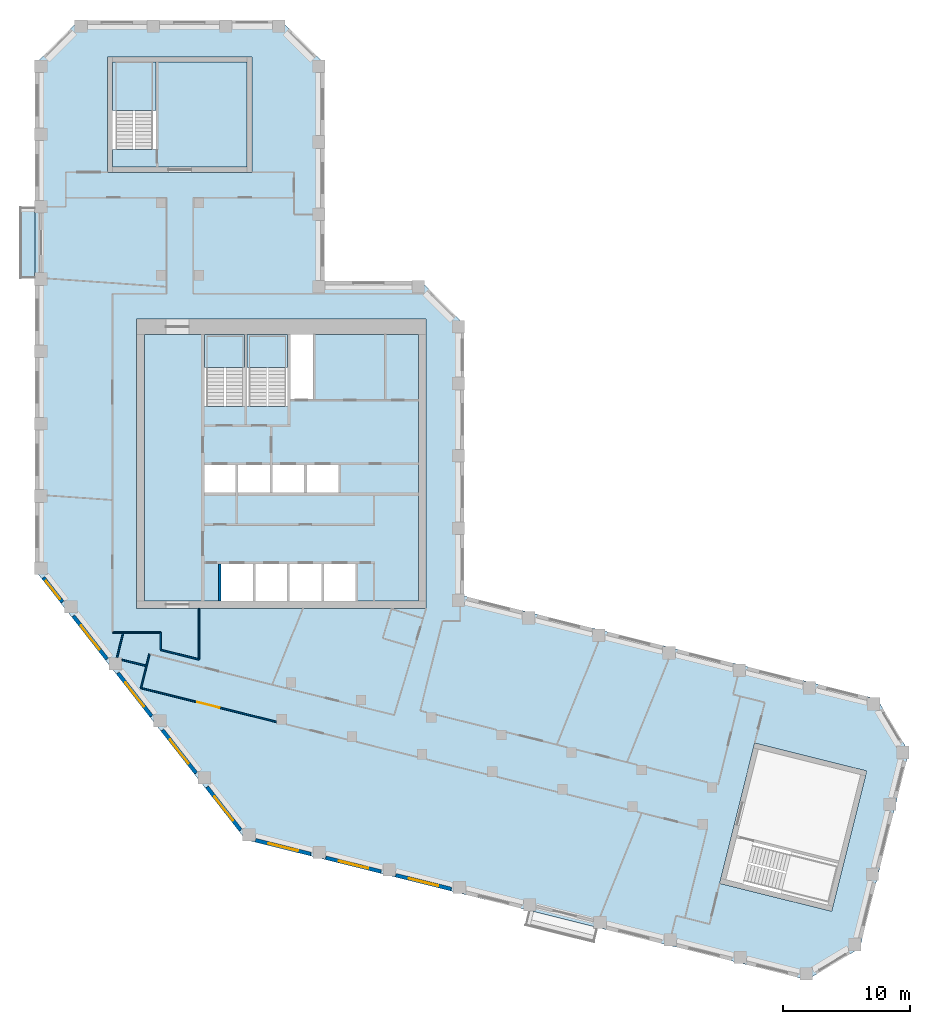
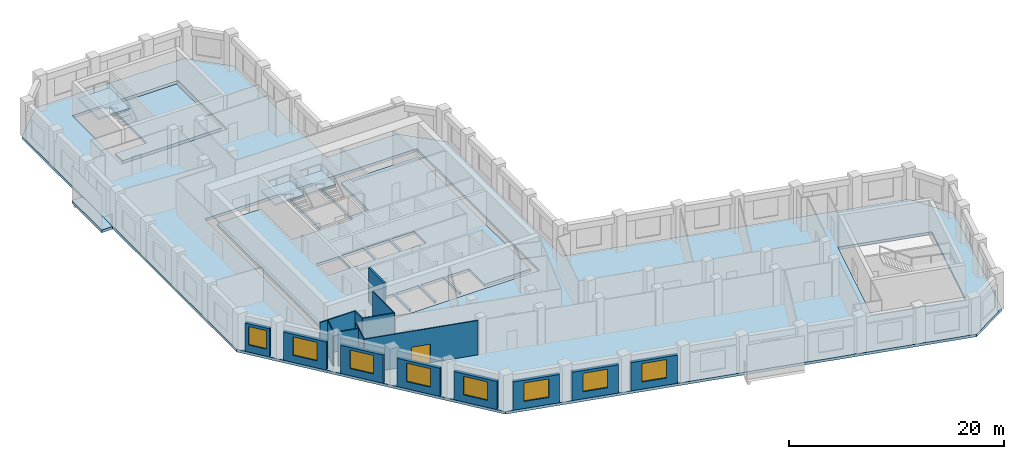
# One storey, part 2 of 9: 17 walls, 8 windows, 7 slabs, 1 door, 9 openings, 3 elements without a shape of their own.
"""IFC4 building model written with IfcOpenShell, lengths in metres."""

import ifcopenshell
import ifcopenshell.guid

model = None  # the IFC model being written
_history = None  # IfcOwnerHistory: only IFC2X3 demands one
_inside = {}  # id of a spatial element -> (the spatial element, [elements in it])
_under = {}  # id of a project, library or spatial element -> (it, [spatial elements below it])
_declared = {}  # id of a project -> (the project, [libraries it declares])
_typed = {}  # id of a type object -> (the type object, [elements of that type])
_made_of = {}  # id of a material, layer set ... -> (it, [elements and type objects made of it])


def new_model(schema):
    """Start an empty IFC model of exactly this schema.

    Asked for "IFC4X3", IfcOpenShell would pick the latest addendum, in which some entities
    have other attributes; the version numbers below select the first issue.
    IFC2X3 requires an IfcOwnerHistory on every rooted entity: one is made here for all.
    """
    global model, _history
    if schema == "IFC4X3":
        model = ifcopenshell.file(schema_version=(4, 3, 0, 0))
    else:
        model = ifcopenshell.file(schema=schema)
    _inside.clear()
    _under.clear()
    _declared.clear()
    _typed.clear()
    _made_of.clear()
    _history = None
    if model.schema == "IFC2X3":
        org = make("IfcOrganization", Name="unknown")
        user = make(
            "IfcPersonAndOrganization",
            ThePerson=make("IfcPerson", FamilyName="unknown"),
            TheOrganization=org,
        )
        app = make(
            "IfcApplication",
            ApplicationDeveloper=org,
            Version="unknown",
            ApplicationFullName="unknown",
            ApplicationIdentifier="unknown",
        )
        _history = make(
            "IfcOwnerHistory",
            OwningUser=user,
            OwningApplication=app,
            ChangeAction="ADDED",
            CreationDate=0,
        )
    return model


def make(cls, **values):
    """One entity of the class cls with the attributes given. An attribute that is None is left unset."""
    return model.create_entity(
        cls, **{name: value for name, value in values.items() if value is not None}
    )


def rooted(cls, **values):
    """An entity with a GlobalId (a new one), such as an element, a storey or a relation."""
    return make(cls, GlobalId=ifcopenshell.guid.new(), OwnerHistory=_history, **values)


def si_unit(unit_type, name, prefix=None):
    """IfcSIUnit, for example si_unit("LENGTHUNIT", "METRE", prefix="MILLI")."""
    return make("IfcSIUnit", UnitType=unit_type, Prefix=prefix, Name=name)


def assignment(units):
    """IfcUnitAssignment: the units of a project."""
    return None if units is None else make("IfcUnitAssignment", Units=units)


def point(xyz):
    """IfcCartesianPoint."""
    return None if xyz is None else make("IfcCartesianPoint", Coordinates=xyz)


def direction(xyz):
    """IfcDirection."""
    return None if xyz is None else make("IfcDirection", DirectionRatios=xyz)


def frame(location, z_axis=None, x_axis=None):
    """IfcAxis2Placement3D, a coordinate frame: its origin and axes. An axis left out is left unset."""
    return make(
        "IfcAxis2Placement3D",
        Location=point(location),
        Axis=direction(z_axis),
        RefDirection=direction(x_axis),
    )


def frame_2d(location, x_axis=None):
    """IfcAxis2Placement2D, a coordinate frame in the plane: its origin and x axis."""
    return make(
        "IfcAxis2Placement2D", Location=point(location), RefDirection=direction(x_axis)
    )


def origin():
    """The frame at (0, 0, 0) with its axes left unset."""
    return frame((0.0, 0.0, 0.0))


def place(relative_to, where):
    """IfcLocalPlacement: puts the frame where relative to a parent placement (None: the world)."""
    return make(
        "IfcLocalPlacement", PlacementRelTo=relative_to, RelativePlacement=where
    )


def context(
    kind, dimensions, precision=None, world=None, true_north=None, identifier=None
):
    """IfcGeometricRepresentationContext, for example the 3D "Model" context."""
    return make(
        "IfcGeometricRepresentationContext",
        ContextIdentifier=identifier,
        ContextType=kind,
        CoordinateSpaceDimension=dimensions,
        Precision=precision,
        WorldCoordinateSystem=world,
        TrueNorth=true_north,
    )


def subcontext(parent, identifier, kind, view, scale=None):
    """IfcGeometricRepresentationSubContext, for example "Body" below "Model"."""
    return make(
        "IfcGeometricRepresentationSubContext",
        ContextIdentifier=identifier,
        ContextType=kind,
        ParentContext=parent,
        TargetScale=scale,
        TargetView=view,
    )


def project(units=None, contexts=None):
    """IfcProject with its units and contexts."""
    return rooted(
        "IfcProject",
        Name="project",
        RepresentationContexts=contexts,
        UnitsInContext=assignment(units),
    )


def spatial(cls, under=None, at=None, **own):
    """A site, building, storey or space (cls), placed at a placement, below another one or the project."""
    s = rooted(cls, ObjectPlacement=at, **own)
    if under is not None:
        _under.setdefault(under.id(), (under, []))[1].append(s)
    return s


def polyline(points):
    """IfcPolyline through the points."""
    return make("IfcPolyline", Points=[point(p) for p in points])


def profile(cls, at=None, kind="AREA", **sizes):
    """A parametric profile (cls). Its sizes go by their IFC names, for example OverallWidth=200.0."""
    return make(cls, ProfileType=kind, Position=at, **sizes)


def rectangle(**sizes):
    """IfcRectangleProfileDef."""
    return profile("IfcRectangleProfileDef", **sizes)


def outline(outer, holes=None, kind="AREA"):
    """IfcArbitraryClosedProfileDef: a profile drawn as a closed curve; with holes, ...WithVoids."""
    if holes is None:
        return make("IfcArbitraryClosedProfileDef", ProfileType=kind, OuterCurve=outer)
    return make(
        "IfcArbitraryProfileDefWithVoids",
        ProfileType=kind,
        OuterCurve=outer,
        InnerCurves=holes,
    )


def extrude(swept, where, along, depth):
    """IfcExtrudedAreaSolid: the profile swept, set in the frame where, extruded along a direction by depth."""
    return make(
        "IfcExtrudedAreaSolid",
        SweptArea=swept,
        Position=where,
        ExtrudedDirection=direction(along),
        Depth=depth,
    )


def shape(context_of_items, identifier, shape_type, items):
    """IfcShapeRepresentation: the items that make up one representation, for example the "Body"."""
    return make(
        "IfcShapeRepresentation",
        ContextOfItems=context_of_items,
        RepresentationIdentifier=identifier,
        RepresentationType=shape_type,
        Items=items,
    )


def material(Name=None, Category=None):
    """IfcMaterial."""
    return make("IfcMaterial", Name=Name, Category=Category)


def layer(
    of_material, thickness, ventilated=None, Name=None, Category=None, Priority=None
):
    """IfcMaterialLayer: one layer of a wall or slab, of a material (None: an air gap)."""
    return make(
        "IfcMaterialLayer",
        Material=of_material,
        LayerThickness=thickness,
        IsVentilated=ventilated,
        Name=Name,
        Category=Category,
        Priority=Priority,
    )


def layer_set(layers, Name=None):
    """IfcMaterialLayerSet."""
    return make("IfcMaterialLayerSet", MaterialLayers=layers, LayerSetName=Name)


def made_of(thing, what):
    """Note that an element or type object is made of a material, layer set ...; save() writes the relation."""
    if what is not None:
        _made_of.setdefault(what.id(), (what, []))[1].append(thing)
    return thing


def type_object(cls, material=None, **own):
    """A type object (cls), such as IfcWallType, which elements share."""
    return made_of(rooted(cls, **own), material)


def element(
    cls,
    number,
    at=None,
    inside=None,
    cuts=None,
    type_object=None,
    material=None,
    context=None,
    identifier="Body",
    shape_type=None,
    held_by="IfcProductDefinitionShape",
    body=None,
    shapes=None,
    **own,
):
    """One element of the class cls, such as IfcWall. Its Tag is "e" and its number.

    at: its placement. inside: the storey or other place that contains it. cuts: it is an
    opening in that element (IfcRelVoidsElement). A single representation is given by context,
    identifier, shape_type and body (its items); several are given by shapes. held_by: the class
    of the entity that holds the representations. save() writes the other relations.
    """
    e = rooted(cls, Tag="e%d" % number, ObjectPlacement=at, **own)
    if body is not None:
        shapes = [shape(context, identifier, shape_type, body)]
    if shapes is not None:
        e.Representation = make(held_by, Representations=shapes)
    if inside is not None:
        _inside.setdefault(inside.id(), (inside, []))[1].append(e)
    if cuts is not None:
        rooted(
            "IfcRelVoidsElement", RelatingBuildingElement=cuts, RelatedOpeningElement=e
        )
    if type_object is not None:
        _typed.setdefault(type_object.id(), (type_object, []))[1].append(e)
    return made_of(e, material)


def fill(opening, filler):
    """IfcRelFillsElement: the door or window that sits in an opening."""
    return rooted(
        "IfcRelFillsElement",
        RelatingOpeningElement=opening,
        RelatedBuildingElement=filler,
    )


def aggregate(whole, parts):
    """IfcRelAggregates: a whole, such as a stair, and the parts it consists of."""
    return rooted("IfcRelAggregates", RelatingObject=whole, RelatedObjects=parts)


def save(model, path):
    """Write the relations noted so far, then the file.

    IfcRelAggregates (storeys below a building ...), IfcRelContainedInSpatialStructure (elements
    in a storey), IfcRelDefinesByType, IfcRelAssociatesMaterial and IfcRelDeclares: one each for
    every whole, place, type object, material and project.
    """
    for whole, parts in _under.values():
        aggregate(whole, parts)
    for where, things in _inside.values():
        rooted(
            "IfcRelContainedInSpatialStructure",
            RelatedElements=things,
            RelatingStructure=where,
        )
    for kind, things in _typed.values():
        rooted("IfcRelDefinesByType", RelatedObjects=things, RelatingType=kind)
    for what, things in _made_of.values():
        rooted("IfcRelAssociatesMaterial", RelatedObjects=things, RelatingMaterial=what)
    for by, libraries in _declared.values():
        rooted("IfcRelDeclares", RelatingContext=by, RelatedDefinitions=libraries)
    model.write(path)


model = new_model("IFC4")

# Units and contexts
model_context = context("Model", 3, precision=1e-05, world=origin(), true_north=direction((0.0, 1.0)))
body_context = subcontext(model_context, "Body", "Model", "MODEL_VIEW")
ifc_project = project(units=[si_unit("LENGTHUNIT", "METRE"), si_unit("AREAUNIT", "SQUARE_METRE"), si_unit("VOLUMEUNIT", "CUBIC_METRE"), si_unit("PLANEANGLEUNIT", "RADIAN"), si_unit("MASSUNIT", "GRAM", prefix="KILO")], contexts=[model_context])

# Site, building, storey
site_placement = place(None, origin())
site = spatial("IfcSite", under=ifc_project, at=site_placement, CompositionType="ELEMENT")
building_placement = place(site_placement, origin())
building = spatial("IfcBuilding", under=site, at=building_placement, Name="Meshkara Civic Tower", CompositionType="ELEMENT")
storey_placement = place(building_placement, frame((0.0, 0.0, 310.800048828125)))
storey = spatial("IfcBuildingStorey", under=building, at=storey_placement, Name="L71", CompositionType="ELEMENT", Elevation=310.800048828125)

# Slabs
ifc_material_1 = material(Name="Concrete C40", Category="concrete")
ifc_layer_1 = layer(ifc_material_1, 0.300048828125)
ifc_layer_set_1 = layer_set([ifc_layer_1], Name="BALCONY SLAB")
slab_type_1 = type_object("IfcSlabType", Name="BALCONY SLAB", PredefinedType="FLOOR", material=ifc_layer_set_1)
slab_1_placement = place(storey_placement, frame((0.0, 0.0, -0.300048828125)))
element("IfcSlab", 1, at=slab_1_placement, inside=storey, type_object=slab_type_1, Name="Balcony slab", PredefinedType="FLOOR", context=body_context, shape_type="SweptSolid", body=[
    extrude(outline(polyline([(-1.199951171875, 40.114990234375), (-1.199951171875, 45.695068359375), (-0.050048828125, 45.695068359375), (-0.050048828125, 45.2548828125), (0.0, 45.2548828125), (0.0, 40.554931640625), (-0.050048828125, 40.554931640625), (-0.050048828125, 40.114990234375), (-1.199951171875, 40.114990234375)])), origin(), (0.0, 0.0, 1.0), 0.300048828125),
])
ifc_material_2 = material(Name="Concrete C40/50", Category="concrete")
ifc_layer_2 = layer(ifc_material_2, 0.300048828125)
ifc_layer_set_2 = layer_set([ifc_layer_2], Name="Core floor slab 300 C40/50")
slab_type_2 = type_object("IfcSlabType", Name="Core floor slab 300 C40/50", PredefinedType="FLOOR", material=ifc_layer_set_2)
slab_2_placement = place(storey_placement, frame((0.0, 0.0, -0.300048828125)))
element("IfcSlab", 2, at=slab_2_placement, inside=storey, type_object=slab_type_2, Name="Core floor K", PredefinedType="FLOOR", context=body_context, shape_type="SweptSolid", body=[
    extrude(outline(polyline([(8.60009765625, 35.699951171875), (13.35009765625, 35.699951171875), (13.35009765625, 30.00146484375), (16.5, 30.00146484375), (16.5, 35.699951171875), (16.699951171875, 35.699951171875), (16.699951171875, 30.00146484375), (19.89990234375, 30.00146484375), (19.89990234375, 35.699951171875), (20.10009765625, 35.699951171875), (20.10009765625, 30.574951171875), (21.925048828125, 30.574951171875), (21.925048828125, 35.699951171875), (30.199951171875, 35.699951171875), (30.199951171875, 14.699951171875), (25.25, 14.699951171875), (25.25, 17.60009765625), (22.75, 17.60009765625), (22.75, 14.699951171875), (22.550048828125, 14.699951171875), (22.550048828125, 17.60009765625), (20.050048828125, 17.60009765625), (20.050048828125, 14.699951171875), (19.85009765625, 14.699951171875), (19.85009765625, 17.60009765625), (17.35009765625, 17.60009765625), (17.35009765625, 14.699951171875), (17.14990234375, 14.699951171875), (17.14990234375, 17.60009765625), (14.64990234375, 17.60009765625), (14.64990234375, 14.699951171875), (8.60009765625, 14.699951171875), (8.60009765625, 35.699951171875)]), holes=[polyline([(13.35009765625, 23.25), (15.800048828125, 23.25), (15.800048828125, 25.39990234375), (13.35009765625, 25.39990234375), (13.35009765625, 23.25)]), polyline([(18.5, 23.25), (18.5, 25.39990234375), (16.0, 25.39990234375), (16.0, 23.25), (18.5, 23.25)]), polyline([(18.699951171875, 23.25), (21.199951171875, 23.25), (21.199951171875, 25.39990234375), (18.699951171875, 25.39990234375), (18.699951171875, 23.25)]), polyline([(23.89990234375, 23.25), (23.89990234375, 25.39990234375), (21.39990234375, 25.39990234375), (21.39990234375, 23.25), (23.89990234375, 23.25)])]), origin(), (0.0, 0.0, 1.0), 0.300048828125),
])
slab_3_placement = place(storey_placement, frame((0.0, 0.0, -0.300048828125)))
element("IfcSlab", 3, at=slab_3_placement, inside=storey, type_object=slab_type_2, Name="Core floor EA", PredefinedType="FLOOR", context=body_context, shape_type="SweptSolid", body=[
    extrude(outline(polyline([(16.699951171875, 48.8701171875), (16.699951171875, 57.169921875), (9.5, 57.169921875), (9.5, 50.271484375), (6.10009765625, 50.271484375), (6.10009765625, 48.8701171875), (16.699951171875, 48.8701171875)])), origin(), (0.0, 0.0, 1.0), 0.300048828125),
])

# Stair, slab
ifc_material_3 = material(Name="Precast concrete C40/50", Category="concrete")
stair_type = type_object("IfcStairType", Name="Exit stair half-turn 24 risers precast", PredefinedType="HALF_TURN_STAIR", material=ifc_material_3)
stair_1_placement = place(storey_placement, origin())
stair_1 = element("IfcStair", 4, at=stair_1_placement, inside=storey, type_object=stair_type, Name="L71 exit stair 1", PredefinedType="HALF_TURN_STAIR")
ifc_material_4 = material(Name="Precast concrete C40/50", Category="concrete")
ifc_layer_3 = layer(ifc_material_4, 0.199951171875)
ifc_layer_set_3 = layer_set([ifc_layer_3], Name="Exit stair landing 200")
slab_type_3 = type_object("IfcSlabType", Name="Exit stair landing 200", PredefinedType="LANDING", material=ifc_layer_set_3)
slab_4_placement = place(storey_placement, frame((0.0, 0.0, 1.89990234375)))
slab_4 = element("IfcSlab", 5, at=slab_4_placement, type_object=slab_type_3, Name="ST1 landing 1", PredefinedType="LANDING", context=body_context, shape_type="SweptSolid", body=[
    extrude(outline(polyline([(16.5, 33.07861328125), (16.5, 35.699951171875), (13.35009765625, 35.699951171875), (13.35009765625, 33.07861328125), (16.5, 33.07861328125)])), origin(), (0.0, 0.0, 1.0), 0.199951171875),
])
aggregate(stair_1, [slab_4])

stair_2_placement = place(storey_placement, origin())
stair_2 = element("IfcStair", 6, at=stair_2_placement, inside=storey, type_object=stair_type, Name="L71 exit stair 2", PredefinedType="HALF_TURN_STAIR")
slab_5_placement = place(storey_placement, frame((0.0, 0.0, 1.89990234375)))
slab_5 = element("IfcSlab", 7, at=slab_5_placement, type_object=slab_type_3, Name="ST2 landing 1", PredefinedType="LANDING", context=body_context, shape_type="SweptSolid", body=[
    extrude(outline(polyline([(19.89990234375, 33.07861328125), (19.89990234375, 35.699951171875), (16.699951171875, 35.699951171875), (16.699951171875, 33.07861328125), (19.89990234375, 33.07861328125)])), origin(), (0.0, 0.0, 1.0), 0.199951171875),
])
aggregate(stair_2, [slab_5])

stair_3_placement = place(storey_placement, origin())
stair_3 = element("IfcStair", 8, at=stair_3_placement, inside=storey, type_object=stair_type, Name="L71 exit stair A from L65", PredefinedType="HALF_TURN_STAIR")
slab_6_placement = place(storey_placement, frame((0.0, 0.0, 1.89990234375)))
slab_6 = element("IfcSlab", 9, at=slab_6_placement, type_object=slab_type_3, Name="ESA5 landing 1", PredefinedType="LANDING", context=body_context, shape_type="SweptSolid", body=[
    extrude(outline(polyline([(9.5, 53.348388671875), (9.5, 57.169921875), (6.10009765625, 57.169921875), (6.10009765625, 53.348388671875), (9.5, 53.348388671875)])), origin(), (0.0, 0.0, 1.0), 0.199951171875),
])
aggregate(stair_3, [slab_6])

# Slab
ifc_material_5 = material(Name="Concrete C50", Category="concrete")
ifc_layer_4 = layer(ifc_material_5, 0.300048828125)
ifc_layer_set_4 = layer_set([ifc_layer_4], Name="Post-tensioned flat slab 300 C50")
slab_type_4 = type_object("IfcSlabType", Name="Post-tensioned flat slab 300 C50", PredefinedType="FLOOR", material=ifc_layer_set_4)
slab_7_placement = place(storey_placement, frame((0.0, 0.0, -0.300048828125)))
element("IfcSlab", 10, at=slab_7_placement, inside=storey, type_object=slab_type_4, Name="Post-tensioned flat slab L71", PredefinedType="FLOOR", context=body_context, shape_type="SweptSolid", body=[
    extrude(outline(polyline([(64.98291015625, -12.677001953125), (60.837890625, -15.1689453125), (16.592041015625, -4.136962890625), (0.0, 17.10009765625), (0.0, 57.0), (3.419921875, 60.419921875), (19.3798828125, 60.419921875), (22.800048828125, 57.0), (22.800048828125, 39.89990234375), (30.3798828125, 39.89990234375), (33.800048828125, 36.47998046875), (33.800048828125, 15.071044921875), (66.35302734375, 6.9541015625), (68.843994140625, 2.80810546875), (64.98291015625, -12.677001953125)]), holes=[polyline([(62.77001953125, -9.77587890625), (65.527099609375, 1.285888671875), (56.697998046875, 3.487060546875), (53.93994140625, -7.573974609375), (62.77001953125, -9.77587890625)]), polyline([(8.0, 14.10009765625), (30.800048828125, 14.10009765625), (30.800048828125, 36.89990234375), (8.0, 36.89990234375), (8.0, 14.10009765625)]), polyline([(5.699951171875, 57.570068359375), (5.699951171875, 48.469970703125), (17.10009765625, 48.469970703125), (17.10009765625, 57.570068359375), (5.699951171875, 57.570068359375)])]), origin(), (0.0, 0.0, 1.0), 0.300048828125),
])

# Wall
ifc_material_6 = material(Name="Corridor wall 100")
ifc_layer_5 = layer(ifc_material_6, 0.10009765625)
ifc_layer_set_5 = layer_set([ifc_layer_5], Name="Corridor wall 100")
wall_type_1 = type_object("IfcWallType", Name="Corridor wall 100", PredefinedType="PARTITIONING", material=ifc_layer_set_5)
wall_1_placement = place(storey_placement, frame((6.10009765625, 12.199951171875, 0.0), z_axis=(0.0, 0.0, 1.0), x_axis=(1.0, 0.0, 0.0)))
element("IfcWall", 11, at=wall_1_placement, inside=storey, type_object=wall_type_1, Name="L71-W004", PredefinedType="PARTITIONING", context=body_context, shape_type="SweptSolid", body=[
    extrude(rectangle(XDim=3.7998046875, YDim=0.10009765625, at=frame_2d((1.89990234375, 0.0))), origin(), (0.0, 0.0, 1.0), 3.89990234375),
])

# Wall, opening, door
wall_2_placement = place(storey_placement, frame((8.3330078125, 7.81494140625, 0.0), z_axis=(0.0, 0.0, 1.0), x_axis=(0.970306508913, -0.241878644697, 0.0)))
wall_2 = element("IfcWall", 12, at=wall_2_placement, inside=storey, type_object=wall_type_1, Name="L71-W006", PredefinedType="PARTITIONING", context=body_context, shape_type="SweptSolid", body=[
    extrude(rectangle(XDim=11.01806640625, YDim=0.10009765625, at=frame_2d((5.509033203125, 0.0))), origin(), (0.0, 0.0, 1.0), 3.89990234375),
])
opening_1_placement = place(wall_2_placement, frame((4.580078125, 0.0, 0.0)))
opening_1 = element("IfcOpeningElement", 13, at=opening_1_placement, cuts=wall_2, Name="Opening L71-D008", PredefinedType="OPENING", context=body_context, shape_type="SweptSolid", body=[
    extrude(rectangle(XDim=1.800048828125, YDim=2.10009765625, at=frame_2d((0.89990234375, 1.050048828125))), frame((0.0, 0.06005859375, 0.0), z_axis=(0.0, -1.0, 0.0), x_axis=(1.0, 0.0, 0.0)), (0.0, 0.0, 1.0), 0.1201171875),
])
ifc_material_7 = material(Name="Door pair 1800 x 2100")
door_type = type_object("IfcDoorType", Name="Door pair 1800 x 2100", OperationType="SINGLE_SWING_LEFT", PredefinedType="DOOR", material=ifc_material_7)
door_placement = place(opening_1_placement, origin())
door = element("IfcDoor", 14, at=door_placement, inside=storey, type_object=door_type, Name="L71-D008", OperationType="DOUBLE_DOOR_SINGLE_SWING", OverallHeight=2.10009765625, OverallWidth=1.800048828125, PredefinedType="DOOR", context=body_context, shape_type="SweptSolid", body=[
    extrude(rectangle(XDim=1.800048828125, YDim=2.10009765625, at=frame_2d((0.89990234375, 1.050048828125))), frame((0.0, 0.02490234375, 0.0), z_axis=(0.0, -1.0, 0.0), x_axis=(1.0, 0.0, 0.0)), (0.0, 0.0, 1.0), 0.050048828125),
])
fill(opening_1, door)

# Walls
wall_3_placement = place(storey_placement, frame((9.001953125, 10.4990234375, 0.0), z_axis=(0.0, 0.0, 1.0), x_axis=(-0.2418294893, -0.970318761081, 0.0)))
element("IfcWall", 15, at=wall_3_placement, inside=storey, type_object=wall_type_1, Name="L71-W008", PredefinedType="PARTITIONING", context=body_context, shape_type="SweptSolid", body=[
    extrude(rectangle(XDim=2.76611328125, YDim=0.10009765625, at=frame_2d((1.383056640625, 0.0))), origin(), (0.0, 0.0, 1.0), 3.89990234375),
])
wall_4_placement = place(storey_placement, frame((9.89990234375, 10.825927734375, 0.0), z_axis=(0.0, 0.0, 1.0), x_axis=(0.970290953223, -0.241941038466, 0.0)))
element("IfcWall", 16, at=wall_4_placement, inside=storey, type_object=wall_type_1, Name="L71-W009", PredefinedType="PARTITIONING", context=body_context, shape_type="SweptSolid", body=[
    extrude(rectangle(XDim=3.091796875, YDim=0.10009765625, at=frame_2d((1.5458984375, 0.0))), origin(), (0.0, 0.0, 1.0), 3.89990234375),
])
wall_5_placement = place(storey_placement, frame((9.89990234375, 12.199951171875, 0.0), z_axis=(0.0, 0.0, 1.0), x_axis=(0.0, -1.0, 0.0)))
element("IfcWall", 17, at=wall_5_placement, inside=storey, type_object=wall_type_1, Name="L71-W010", PredefinedType="PARTITIONING", context=body_context, shape_type="SweptSolid", body=[
    extrude(rectangle(XDim=1.3740234375, YDim=0.10009765625, at=frame_2d((0.68701171875, 0.0))), origin(), (0.0, 0.0, 1.0), 3.89990234375),
])
wall_6_placement = place(storey_placement, frame((12.89990234375, 10.077880859375, 0.0), z_axis=(0.0, 0.0, 1.0), x_axis=(0.0, 1.0, 0.0)))
element("IfcWall", 18, at=wall_6_placement, inside=storey, type_object=wall_type_1, Name="L71-W015", PredefinedType="PARTITIONING", context=body_context, shape_type="SweptSolid", body=[
    extrude(rectangle(XDim=4.022216796875, YDim=0.10009765625, at=frame_2d((2.01123046875, 0.0))), origin(), (0.0, 0.0, 1.0), 3.89990234375),
])

# Wall, opening, window
ifc_material_8 = material(Name="Insulated infill panel with bronze anodised aluminium cladding", Category="aluminium")
ifc_layer_6 = layer(ifc_material_8, 0.300048828125)
ifc_layer_set_6 = layer_set([ifc_layer_6], Name="EXTERNAL INFILL WALL 300")
wall_type_2 = type_object("IfcWallType", Name="EXTERNAL INFILL WALL 300", PredefinedType="SOLIDWALL", material=ifc_layer_set_6)
wall_7_placement = place(storey_placement, frame((0.64599609375, 16.51708984375, 0.0), z_axis=(0.0, 0.0, 1.0), x_axis=(0.615610986717, -0.788050197026, 0.0)))
wall_7 = element("IfcWall", 19, at=wall_7_placement, inside=storey, type_object=wall_type_2, Name="External wall", PredefinedType="SOLIDWALL", context=body_context, shape_type="SweptSolid", body=[
    extrude(rectangle(XDim=2.4365234375, YDim=0.300048828125, at=frame_2d((1.21826171875, 0.0))), origin(), (0.0, 0.0, 1.0), 3.199951171875),
])
opening_2_placement = place(wall_7_placement, frame((0.318115234375, 0.0, 0.800048828125)))
opening_2 = element("IfcOpeningElement", 20, at=opening_2_placement, cuts=wall_7, Name="Opening W9", PredefinedType="OPENING", context=body_context, shape_type="SweptSolid", body=[
    extrude(rectangle(XDim=1.800048828125, YDim=2.10009765625, at=frame_2d((0.89990234375, 1.050048828125))), frame((0.0, 0.159912109375, 0.0), z_axis=(0.0, -1.0, 0.0), x_axis=(1.0, 0.0, 0.0)), (0.0, 0.0, 1.0), 0.320068359375),
])
ifc_material_9 = material(Name="Tinted double glazing", Category="glass")
window_type_1 = type_object("IfcWindowType", Name="WINDOW 1800x2100", PartitioningType="DOUBLE_PANEL_VERTICAL", PredefinedType="WINDOW", material=ifc_material_9)
window_1_placement = place(opening_2_placement, origin())
window_1 = element("IfcWindow", 21, at=window_1_placement, inside=storey, type_object=window_type_1, Name="Window", OverallHeight=2.10009765625, OverallWidth=1.800048828125, PartitioningType="DOUBLE_PANEL_VERTICAL", PredefinedType="WINDOW", context=body_context, shape_type="SweptSolid", body=[
    extrude(rectangle(XDim=1.800048828125, YDim=2.10009765625, at=frame_2d((0.89990234375, 1.050048828125))), frame((0.0, 0.030029296875, 0.0), z_axis=(0.0, -1.0, 0.0), x_axis=(1.0, 0.0, 0.0)), (0.0, 0.0, 1.0), 0.06005859375),
])
fill(opening_2, window_1)

wall_8_placement = place(storey_placement, frame((3.010009765625, 13.490966796875, 0.0), z_axis=(0.0, 0.0, 1.0), x_axis=(0.615713519567, -0.787970089421, 0.0)))
wall_8 = element("IfcWall", 22, at=wall_8_placement, inside=storey, type_object=wall_type_2, Name="External wall", PredefinedType="SOLIDWALL", context=body_context, shape_type="SweptSolid", body=[
    extrude(rectangle(XDim=4.2958984375, YDim=0.300048828125, at=frame_2d((2.14794921875, 0.0))), origin(), (0.0, 0.0, 1.0), 3.199951171875),
])
opening_3_placement = place(wall_8_placement, frame((0.947998046875, 0.0, 0.800048828125)))
opening_3 = element("IfcOpeningElement", 23, at=opening_3_placement, cuts=wall_8, Name="Opening W7", PredefinedType="OPENING", context=body_context, shape_type="SweptSolid", body=[
    extrude(rectangle(XDim=2.39990234375, YDim=2.10009765625, at=frame_2d((1.199951171875, 1.050048828125))), frame((0.0, 0.159912109375, 0.0), z_axis=(0.0, -1.0, 0.0), x_axis=(1.0, 0.0, 0.0)), (0.0, 0.0, 1.0), 0.320068359375),
])
ifc_material_10 = material(Name="Tinted double glazing", Category="glass")
window_type_2 = type_object("IfcWindowType", Name="WINDOW 2400x2100", PartitioningType="DOUBLE_PANEL_VERTICAL", PredefinedType="WINDOW", material=ifc_material_10)
window_2_placement = place(opening_3_placement, origin())
window_2 = element("IfcWindow", 24, at=window_2_placement, inside=storey, type_object=window_type_2, Name="Window", OverallHeight=2.10009765625, OverallWidth=2.39990234375, PartitioningType="DOUBLE_PANEL_VERTICAL", PredefinedType="WINDOW", context=body_context, shape_type="SweptSolid", body=[
    extrude(rectangle(XDim=2.39990234375, YDim=2.10009765625, at=frame_2d((1.199951171875, 1.050048828125))), frame((0.0, 0.030029296875, 0.0), z_axis=(0.0, -1.0, 0.0), x_axis=(1.0, 0.0, 0.0)), (0.0, 0.0, 1.0), 0.06005859375),
])
fill(opening_3, window_2)

wall_9_placement = place(storey_placement, frame((6.51904296875, 9.0, 0.0), z_axis=(0.0, 0.0, 1.0), x_axis=(0.615634121154, -0.788032124263, 0.0)))
wall_9 = element("IfcWall", 25, at=wall_9_placement, inside=storey, type_object=wall_type_2, Name="External wall", PredefinedType="SOLIDWALL", context=body_context, shape_type="SweptSolid", body=[
    extrude(rectangle(XDim=4.298095703125, YDim=0.300048828125, at=frame_2d((2.14892578125, 0.0))), origin(), (0.0, 0.0, 1.0), 3.199951171875),
])
opening_4_placement = place(wall_9_placement, frame((0.948974609375, 0.0, 0.800048828125)))
opening_4 = element("IfcOpeningElement", 26, at=opening_4_placement, cuts=wall_9, Name="Opening W7", PredefinedType="OPENING", context=body_context, shape_type="SweptSolid", body=[
    extrude(rectangle(XDim=2.39990234375, YDim=2.10009765625, at=frame_2d((1.199951171875, 1.050048828125))), frame((0.0, 0.159912109375, 0.0), z_axis=(0.0, -1.0, 0.0), x_axis=(1.0, 0.0, 0.0)), (0.0, 0.0, 1.0), 0.320068359375),
])
window_3_placement = place(opening_4_placement, origin())
window_3 = element("IfcWindow", 27, at=window_3_placement, inside=storey, type_object=window_type_2, Name="Window", OverallHeight=2.10009765625, OverallWidth=2.39990234375, PartitioningType="DOUBLE_PANEL_VERTICAL", PredefinedType="WINDOW", context=body_context, shape_type="SweptSolid", body=[
    extrude(rectangle(XDim=2.39990234375, YDim=2.10009765625, at=frame_2d((1.199951171875, 1.050048828125))), frame((0.0, 0.030029296875, 0.0), z_axis=(0.0, -1.0, 0.0), x_axis=(1.0, 0.0, 0.0)), (0.0, 0.0, 1.0), 0.06005859375),
])
fill(opening_4, window_3)

wall_10_placement = place(storey_placement, frame((10.029052734375, 4.507080078125, 0.0), z_axis=(0.0, 0.0, 1.0), x_axis=(0.615572343689, -0.788080382756, 0.0)))
wall_10 = element("IfcWall", 28, at=wall_10_placement, inside=storey, type_object=wall_type_2, Name="External wall", PredefinedType="SOLIDWALL", context=body_context, shape_type="SweptSolid", body=[
    extrude(rectangle(XDim=4.295166015625, YDim=0.300048828125, at=frame_2d((2.1474609375, 0.0))), origin(), (0.0, 0.0, 1.0), 3.199951171875),
])
opening_5_placement = place(wall_10_placement, frame((0.947998046875, 0.0, 0.800048828125)))
opening_5 = element("IfcOpeningElement", 29, at=opening_5_placement, cuts=wall_10, Name="Opening W7", PredefinedType="OPENING", context=body_context, shape_type="SweptSolid", body=[
    extrude(rectangle(XDim=2.39990234375, YDim=2.10009765625, at=frame_2d((1.199951171875, 1.050048828125))), frame((0.0, 0.159912109375, 0.0), z_axis=(0.0, -1.0, 0.0), x_axis=(1.0, 0.0, 0.0)), (0.0, 0.0, 1.0), 0.320068359375),
])
window_4_placement = place(opening_5_placement, origin())
window_4 = element("IfcWindow", 30, at=window_4_placement, inside=storey, type_object=window_type_2, Name="Window", OverallHeight=2.10009765625, OverallWidth=2.39990234375, PartitioningType="DOUBLE_PANEL_VERTICAL", PredefinedType="WINDOW", context=body_context, shape_type="SweptSolid", body=[
    extrude(rectangle(XDim=2.39990234375, YDim=2.10009765625, at=frame_2d((1.199951171875, 1.050048828125))), frame((0.0, 0.030029296875, 0.0), z_axis=(0.0, -1.0, 0.0), x_axis=(1.0, 0.0, 0.0)), (0.0, 0.0, 1.0), 0.06005859375),
])
fill(opening_5, window_4)

wall_11_placement = place(storey_placement, frame((13.5380859375, 0.01611328125, 0.0), z_axis=(0.0, 0.0, 1.0), x_axis=(0.615713519567, -0.787970089421, 0.0)))
wall_11 = element("IfcWall", 31, at=wall_11_placement, inside=storey, type_object=wall_type_2, Name="External wall", PredefinedType="SOLIDWALL", context=body_context, shape_type="SweptSolid", body=[
    extrude(rectangle(XDim=4.2958984375, YDim=0.300048828125, at=frame_2d((2.14794921875, 0.0))), origin(), (0.0, 0.0, 1.0), 3.199951171875),
])
opening_6_placement = place(wall_11_placement, frame((0.947998046875, 0.0, 0.800048828125)))
opening_6 = element("IfcOpeningElement", 32, at=opening_6_placement, cuts=wall_11, Name="Opening W7", PredefinedType="OPENING", context=body_context, shape_type="SweptSolid", body=[
    extrude(rectangle(XDim=2.39990234375, YDim=2.10009765625, at=frame_2d((1.199951171875, 1.050048828125))), frame((0.0, 0.159912109375, 0.0), z_axis=(0.0, -1.0, 0.0), x_axis=(1.0, 0.0, 0.0)), (0.0, 0.0, 1.0), 0.320068359375),
])
window_5_placement = place(opening_6_placement, origin())
window_5 = element("IfcWindow", 33, at=window_5_placement, inside=storey, type_object=window_type_2, Name="Window", OverallHeight=2.10009765625, OverallWidth=2.39990234375, PartitioningType="DOUBLE_PANEL_VERTICAL", PredefinedType="WINDOW", context=body_context, shape_type="SweptSolid", body=[
    extrude(rectangle(XDim=2.39990234375, YDim=2.10009765625, at=frame_2d((1.199951171875, 1.050048828125))), frame((0.0, 0.030029296875, 0.0), z_axis=(0.0, -1.0, 0.0), x_axis=(1.0, 0.0, 0.0)), (0.0, 0.0, 1.0), 0.06005859375),
])
fill(opening_6, window_5)

wall_12_placement = place(storey_placement, frame((17.366943359375, -4.176025390625, 0.0), z_axis=(0.0, 0.0, 1.0), x_axis=(0.970327846266, -0.241793032904, 0.0)))
wall_12 = element("IfcWall", 34, at=wall_12_placement, inside=storey, type_object=wall_type_2, Name="External wall", PredefinedType="SOLIDWALL", context=body_context, shape_type="SweptSolid", body=[
    extrude(rectangle(XDim=4.487060546875, YDim=0.300048828125, at=frame_2d((2.24365234375, 0.0))), origin(), (0.0, 0.0, 1.0), 3.199951171875),
])
opening_7_placement = place(wall_12_placement, frame((1.0439453125, 0.0, 0.800048828125)))
opening_7 = element("IfcOpeningElement", 35, at=opening_7_placement, cuts=wall_12, Name="Opening W7", PredefinedType="OPENING", context=body_context, shape_type="SweptSolid", body=[
    extrude(rectangle(XDim=2.39990234375, YDim=2.10009765625, at=frame_2d((1.199951171875, 1.050048828125))), frame((0.0, 0.159912109375, 0.0), z_axis=(0.0, -1.0, 0.0), x_axis=(1.0, 0.0, 0.0)), (0.0, 0.0, 1.0), 0.320068359375),
])
window_6_placement = place(opening_7_placement, origin())
window_6 = element("IfcWindow", 36, at=window_6_placement, inside=storey, type_object=window_type_2, Name="Window", OverallHeight=2.10009765625, OverallWidth=2.39990234375, PartitioningType="DOUBLE_PANEL_VERTICAL", PredefinedType="WINDOW", context=body_context, shape_type="SweptSolid", body=[
    extrude(rectangle(XDim=2.39990234375, YDim=2.10009765625, at=frame_2d((1.199951171875, 1.050048828125))), frame((0.0, 0.030029296875, 0.0), z_axis=(0.0, -1.0, 0.0), x_axis=(1.0, 0.0, 0.0)), (0.0, 0.0, 1.0), 0.06005859375),
])
fill(opening_7, window_6)

wall_13_placement = place(storey_placement, frame((22.89794921875, -5.554931640625, 0.0), z_axis=(0.0, 0.0, 1.0), x_axis=(0.970315118421, -0.24184410467, 0.0)))
wall_13 = element("IfcWall", 37, at=wall_13_placement, inside=storey, type_object=wall_type_2, Name="External wall", PredefinedType="SOLIDWALL", context=body_context, shape_type="SweptSolid", body=[
    extrude(rectangle(XDim=4.486083984375, YDim=0.300048828125, at=frame_2d((2.2431640625, 0.0))), origin(), (0.0, 0.0, 1.0), 3.199951171875),
])
opening_8_placement = place(wall_13_placement, frame((1.0439453125, 0.0, 0.800048828125)))
opening_8 = element("IfcOpeningElement", 38, at=opening_8_placement, cuts=wall_13, Name="Opening W7", PredefinedType="OPENING", context=body_context, shape_type="SweptSolid", body=[
    extrude(rectangle(XDim=2.39990234375, YDim=2.10009765625, at=frame_2d((1.199951171875, 1.050048828125))), frame((0.0, 0.159912109375, 0.0), z_axis=(0.0, -1.0, 0.0), x_axis=(1.0, 0.0, 0.0)), (0.0, 0.0, 1.0), 0.320068359375),
])
window_7_placement = place(opening_8_placement, origin())
window_7 = element("IfcWindow", 39, at=window_7_placement, inside=storey, type_object=window_type_2, Name="Window", OverallHeight=2.10009765625, OverallWidth=2.39990234375, PartitioningType="DOUBLE_PANEL_VERTICAL", PredefinedType="WINDOW", context=body_context, shape_type="SweptSolid", body=[
    extrude(rectangle(XDim=2.39990234375, YDim=2.10009765625, at=frame_2d((1.199951171875, 1.050048828125))), frame((0.0, 0.030029296875, 0.0), z_axis=(0.0, -1.0, 0.0), x_axis=(1.0, 0.0, 0.0)), (0.0, 0.0, 1.0), 0.06005859375),
])
fill(opening_8, window_7)

wall_14_placement = place(storey_placement, frame((28.427978515625, -6.93310546875, 0.0), z_axis=(0.0, 0.0, 1.0), x_axis=(0.970276766004, -0.241997928406, 0.0)))
wall_14 = element("IfcWall", 40, at=wall_14_placement, inside=storey, type_object=wall_type_2, Name="External wall", PredefinedType="SOLIDWALL", context=body_context, shape_type="SweptSolid", body=[
    extrude(rectangle(XDim=4.4873046875, YDim=0.300048828125, at=frame_2d((2.24365234375, 0.0))), origin(), (0.0, 0.0, 1.0), 3.199951171875),
])
opening_9_placement = place(wall_14_placement, frame((1.0439453125, 0.0, 0.800048828125)))
opening_9 = element("IfcOpeningElement", 41, at=opening_9_placement, cuts=wall_14, Name="Opening W7", PredefinedType="OPENING", context=body_context, shape_type="SweptSolid", body=[
    extrude(rectangle(XDim=2.39990234375, YDim=2.10009765625, at=frame_2d((1.199951171875, 1.050048828125))), frame((0.0, 0.159912109375, 0.0), z_axis=(0.0, -1.0, 0.0), x_axis=(1.0, 0.0, 0.0)), (0.0, 0.0, 1.0), 0.320068359375),
])
window_8_placement = place(opening_9_placement, origin())
window_8 = element("IfcWindow", 42, at=window_8_placement, inside=storey, type_object=window_type_2, Name="Window", OverallHeight=2.10009765625, OverallWidth=2.39990234375, PartitioningType="DOUBLE_PANEL_VERTICAL", PredefinedType="WINDOW", context=body_context, shape_type="SweptSolid", body=[
    extrude(rectangle(XDim=2.39990234375, YDim=2.10009765625, at=frame_2d((1.199951171875, 1.050048828125))), frame((0.0, 0.030029296875, 0.0), z_axis=(0.0, -1.0, 0.0), x_axis=(1.0, 0.0, 0.0)), (0.0, 0.0, 1.0), 0.06005859375),
])
fill(opening_9, window_8)

# Walls
ifc_material_11 = material(Name="Partition 100")
ifc_layer_7 = layer(ifc_material_11, 0.10009765625)
ifc_layer_set_7 = layer_set([ifc_layer_7], Name="Partition 100")
wall_type_3 = type_object("IfcWallType", Name="Partition 100", PredefinedType="PARTITIONING", material=ifc_layer_set_7)
wall_15_placement = place(storey_placement, frame((6.922119140625, 12.137939453125, 0.0), z_axis=(0.0, 0.0, 1.0), x_axis=(-0.242476987996, -0.970157157523, 0.0)))
element("IfcWall", 43, at=wall_15_placement, inside=storey, type_object=wall_type_3, Name="L71-W043", PredefinedType="PARTITIONING", context=body_context, shape_type="SweptSolid", body=[
    extrude(rectangle(XDim=1.95947265625, YDim=0.10009765625, at=frame_2d((0.979736328125, 0.0))), origin(), (0.0, 0.0, 1.0), 3.89990234375),
])
wall_16_placement = place(storey_placement, frame((8.719970703125, 9.574951171875, 0.0), z_axis=(0.0, 0.0, 1.0), x_axis=(-0.970274576003, 0.242006708918, 0.0)))
element("IfcWall", 44, at=wall_16_placement, inside=storey, type_object=wall_type_3, Name="L71-W044", PredefinedType="PARTITIONING", context=body_context, shape_type="SweptSolid", body=[
    extrude(rectangle(XDim=1.955078125, YDim=0.10009765625, at=frame_2d((0.9775390625, 0.0))), origin(), (0.0, 0.0, 1.0), 3.89990234375),
])
ifc_material_12 = material(Name="Concrete C40/50", Category="concrete")
ifc_layer_8 = layer(ifc_material_12, 0.199951171875)
ifc_layer_set_8 = layer_set([ifc_layer_8], Name="Shaft wall 200 C40/50")
wall_type_4 = type_object("IfcWallType", Name="Shaft wall 200 C40/50", PredefinedType="SOLIDWALL", material=ifc_layer_set_8)
wall_17_placement = place(storey_placement, frame((14.550048828125, 14.699951171875, 0.0), z_axis=(0.0, 0.0, 1.0), x_axis=(0.0, 1.0, 0.0)))
element("IfcWall", 45, at=wall_17_placement, inside=storey, type_object=wall_type_4, Name="L71-C012", PredefinedType="SOLIDWALL", context=body_context, shape_type="SweptSolid", body=[
    extrude(rectangle(XDim=2.900146484375, YDim=0.199951171875, at=frame_2d((1.4501953125, 0.0))), origin(), (0.0, 0.0, 1.0), 3.89990234375),
])

save(model, "model.ifc")
